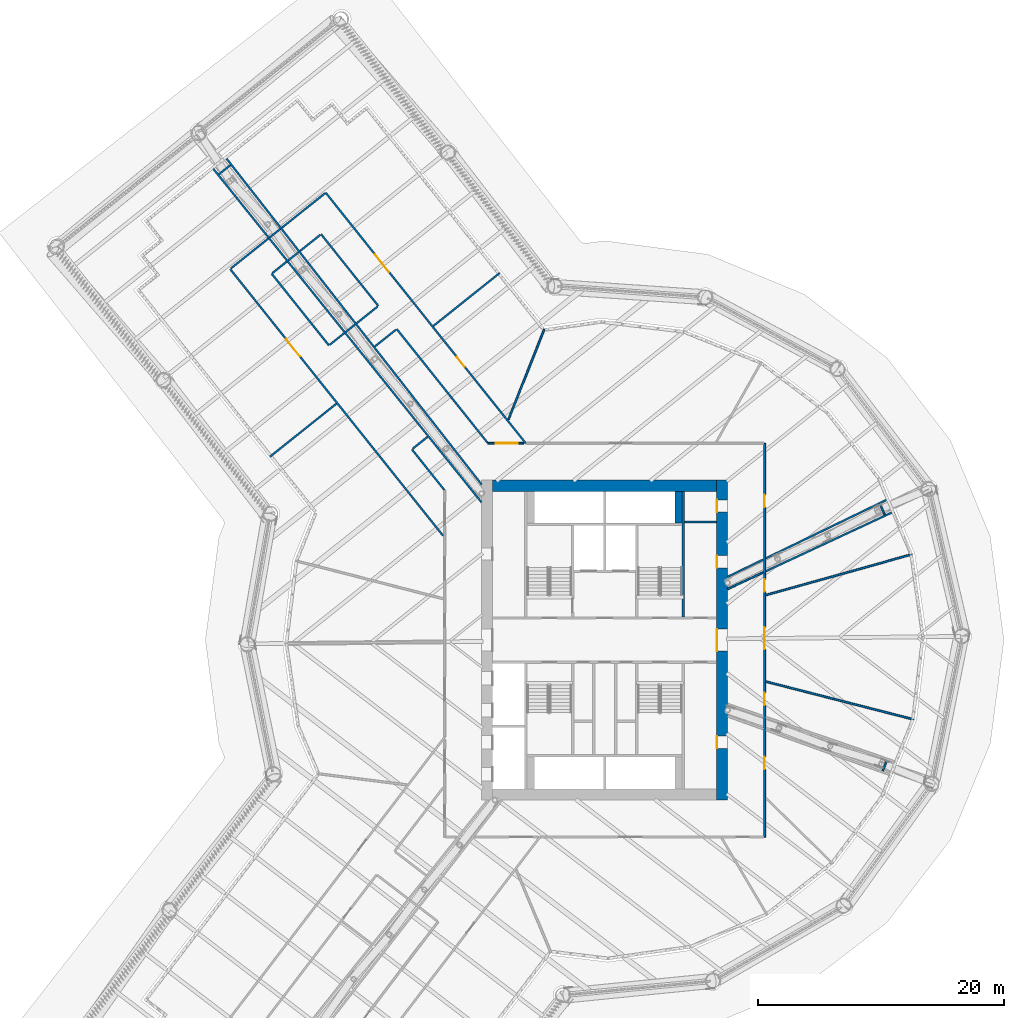
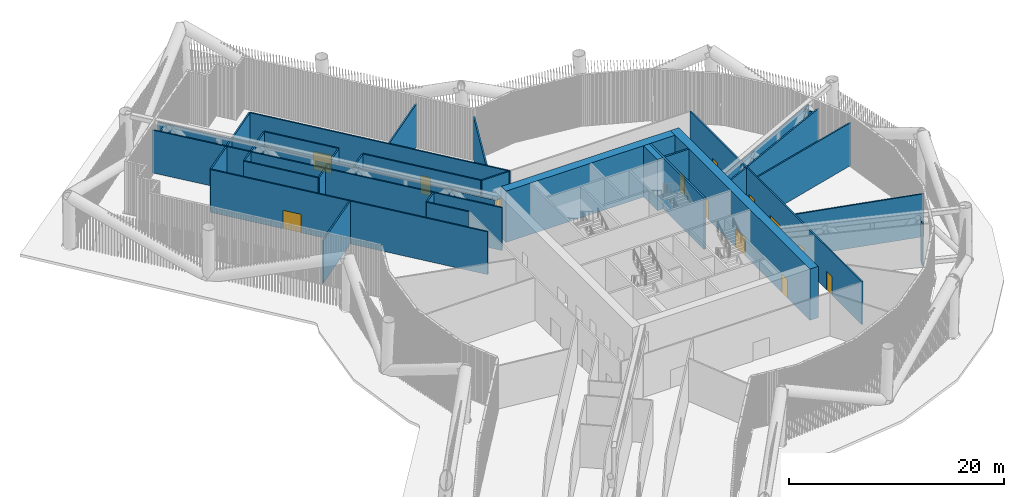
# One storey, part 17 of 48: 38 walls, 13 doors, 13 openings.
"""IFC4 building model written with IfcOpenShell, lengths in metres."""

from ifc_helpers import new_model, si_unit, direction, frame, frame_2d, origin, place, context, subcontext, project, spatial, rectangle, extrude, material, layer, layer_set, type_object, element, fill, save


model = new_model("IFC4")

# Units and contexts
model_context = context("Model", 3, precision=1e-05, world=origin(), true_north=direction((0.0, 1.0)))
body_context = subcontext(model_context, "Body", "Model", "MODEL_VIEW")
ifc_project = project(units=[si_unit("LENGTHUNIT", "METRE"), si_unit("AREAUNIT", "SQUARE_METRE"), si_unit("VOLUMEUNIT", "CUBIC_METRE"), si_unit("PLANEANGLEUNIT", "RADIAN"), si_unit("MASSUNIT", "GRAM", prefix="KILO")], contexts=[model_context])

# Site, building, storey
site_placement = place(None, origin())
site = spatial("IfcSite", under=ifc_project, at=site_placement, CompositionType="ELEMENT")
building_placement = place(site_placement, origin())
building = spatial("IfcBuilding", under=site, at=building_placement, Name="Tarsis Ring Headquarters", CompositionType="ELEMENT")
storey_placement = place(building_placement, frame((0.0, 0.0, 34.0)))
storey = spatial("IfcBuildingStorey", under=building, at=storey_placement, Name="L06", CompositionType="ELEMENT", Elevation=34.0)

# Wall
ifc_material_1 = material(Name="Blockwork", Category="masonry")
ifc_layer_1 = layer(ifc_material_1, 0.199951171875)
ifc_layer_set_1 = layer_set([ifc_layer_1], Name="Core blockwork wall 200")
wall_type_1 = type_object("IfcWallType", Name="Core blockwork wall 200", PredefinedType="PARTITIONING", material=ifc_layer_set_1)
wall_1_placement = place(storey_placement, frame((6.5, 9.60009765625, 0.0), z_axis=(0.0, 0.0, 1.0), x_axis=(1.0, 0.0, 0.0)))
element("IfcWall", 1, at=wall_1_placement, inside=storey, type_object=wall_type_1, Name="Core partition ED7", PredefinedType="PARTITIONING", context=body_context, shape_type="SweptSolid", body=[
    extrude(rectangle(XDim=2.60009765625, YDim=0.199951171875, at=frame_2d((1.300048828125, 0.0))), origin(), (0.0, 0.0, 1.0), 5.840087890625),
])

# Wall, openings, doors
ifc_material_2 = material(Name="Concrete C60/75", Category="concrete")
ifc_layer_2 = layer(ifc_material_2, 0.89990234375)
ifc_layer_set_2 = layer_set([ifc_layer_2], Name="Core wall 900 C60/75")
wall_type_2 = type_object("IfcWallType", Name="Core wall 900 C60/75", PredefinedType="SHEAR", material=ifc_layer_set_2)
wall_2_placement = place(storey_placement, frame((9.550048828125, -13.0, 0.0), z_axis=(0.0, 0.0, 1.0), x_axis=(0.0, 1.0, 0.0)))
wall_2 = element("IfcWall", 2, at=wall_2_placement, inside=storey, type_object=wall_type_2, Name="Core wall OE", PredefinedType="SHEAR", context=body_context, shape_type="SweptSolid", body=[
    extrude(rectangle(XDim=26.0, YDim=0.89990234375, at=frame_2d((13.0, 0.0))), origin(), (0.0, 0.0, 1.0), 5.840087890625),
])
opening_1_placement = place(wall_2_placement, frame((4.199951171875, 0.0, 0.0)))
opening_1 = element("IfcOpeningElement", 3, at=opening_1_placement, cuts=wall_2, Name="Opening L06-C07", PredefinedType="OPENING", context=body_context, shape_type="SweptSolid", body=[
    extrude(rectangle(XDim=1.0, YDim=2.10009765625, at=frame_2d((0.5, 1.050048828125))), frame((0.0, 0.4599609375, 0.0), z_axis=(0.0, -1.0, 0.0), x_axis=(1.0, 0.0, 0.0)), (0.0, 0.0, 1.0), 0.919921875),
])
opening_2_placement = place(wall_2_placement, frame((12.10009765625, 0.0, 0.0)))
opening_2 = element("IfcOpeningElement", 4, at=opening_2_placement, cuts=wall_2, Name="Opening L06-C08", PredefinedType="OPENING", context=body_context, shape_type="SweptSolid", body=[
    extrude(rectangle(XDim=1.800048828125, YDim=2.10009765625, at=frame_2d((0.89990234375, 1.050048828125))), frame((0.0, 0.4599609375, 0.0), z_axis=(0.0, -1.0, 0.0), x_axis=(1.0, 0.0, 0.0)), (0.0, 0.0, 1.0), 0.919921875),
])
opening_3_placement = place(wall_2_placement, frame((18.8759765625, 0.0, 0.0)))
opening_3 = element("IfcOpeningElement", 5, at=opening_3_placement, cuts=wall_2, Name="Opening L06-C09", PredefinedType="OPENING", context=body_context, shape_type="SweptSolid", body=[
    extrude(rectangle(XDim=1.0, YDim=2.10009765625, at=frame_2d((0.5, 1.050048828125))), frame((0.0, 0.4599609375, 0.0), z_axis=(0.0, -1.0, 0.0), x_axis=(1.0, 0.0, 0.0)), (0.0, 0.0, 1.0), 0.919921875),
])
opening_4_placement = place(wall_2_placement, frame((23.39990234375, 0.0, 0.0)))
opening_4 = element("IfcOpeningElement", 6, at=opening_4_placement, cuts=wall_2, Name="Opening L06-C10", PredefinedType="OPENING", context=body_context, shape_type="SweptSolid", body=[
    extrude(rectangle(XDim=1.0, YDim=2.10009765625, at=frame_2d((0.5, 1.050048828125))), frame((0.0, 0.4599609375, 0.0), z_axis=(0.0, -1.0, 0.0), x_axis=(1.0, 0.0, 0.0)), (0.0, 0.0, 1.0), 0.919921875),
])
ifc_material_3 = material(Name="Steel S355", Category="steel")
door_type_1 = type_object("IfcDoorType", Name="Core entry door 1800x2100", OperationType="DOUBLE_DOOR_SINGLE_SWING", PredefinedType="DOOR", material=ifc_material_3)
door_1_placement = place(opening_2_placement, origin())
door_1 = element("IfcDoor", 7, at=door_1_placement, inside=storey, type_object=door_type_1, Name="Core entry door L06", OperationType="DOUBLE_DOOR_SINGLE_SWING", OverallHeight=2.10009765625, OverallWidth=1.800048828125, PredefinedType="DOOR", context=body_context, shape_type="SweptSolid", body=[
    extrude(rectangle(XDim=1.800048828125, YDim=2.10009765625, at=frame_2d((0.89990234375, 1.050048828125))), frame((0.0, 0.4501953125, 0.0), z_axis=(0.0, -1.0, 0.0), x_axis=(1.0, 0.0, 0.0)), (0.0, 0.0, 1.0), 0.050048828125),
])
fill(opening_2, door_1)
door_type_2 = type_object("IfcDoorType", Name="Core room door 1000x2100", OperationType="SINGLE_SWING_LEFT", PredefinedType="DOOR", material=ifc_material_3)
door_2_placement = place(opening_1_placement, origin())
door_2 = element("IfcDoor", 8, at=door_2_placement, inside=storey, type_object=door_type_2, Name="Core room door L06", OperationType="SINGLE_SWING_LEFT", OverallHeight=2.10009765625, OverallWidth=1.0, PredefinedType="DOOR", context=body_context, shape_type="SweptSolid", body=[
    extrude(rectangle(XDim=1.0, YDim=2.10009765625, at=frame_2d((0.5, 1.050048828125))), frame((0.0, 0.4501953125, 0.0), z_axis=(0.0, -1.0, 0.0), x_axis=(1.0, 0.0, 0.0)), (0.0, 0.0, 1.0), 0.050048828125),
])
fill(opening_1, door_2)
door_3_placement = place(opening_3_placement, origin())
door_3 = element("IfcDoor", 9, at=door_3_placement, inside=storey, type_object=door_type_2, Name="Core room door L06", OperationType="SINGLE_SWING_LEFT", OverallHeight=2.10009765625, OverallWidth=1.0, PredefinedType="DOOR", context=body_context, shape_type="SweptSolid", body=[
    extrude(rectangle(XDim=1.0, YDim=2.10009765625, at=frame_2d((0.5, 1.050048828125))), frame((0.0, 0.4501953125, 0.0), z_axis=(0.0, -1.0, 0.0), x_axis=(1.0, 0.0, 0.0)), (0.0, 0.0, 1.0), 0.050048828125),
])
fill(opening_3, door_3)
door_4_placement = place(opening_4_placement, origin())
door_4 = element("IfcDoor", 10, at=door_4_placement, inside=storey, type_object=door_type_2, Name="Core room door L06", OperationType="SINGLE_SWING_LEFT", OverallHeight=2.10009765625, OverallWidth=1.0, PredefinedType="DOOR", context=body_context, shape_type="SweptSolid", body=[
    extrude(rectangle(XDim=1.0, YDim=2.10009765625, at=frame_2d((0.5, 1.050048828125))), frame((0.0, 0.4501953125, 0.0), z_axis=(0.0, -1.0, 0.0), x_axis=(1.0, 0.0, 0.0)), (0.0, 0.0, 1.0), 0.050048828125),
])
fill(opening_4, door_4)

# Walls
wall_3_placement = place(storey_placement, frame((-9.10009765625, 12.550048828125, 0.0), z_axis=(0.0, 0.0, 1.0), x_axis=(1.0, 0.0, 0.0)))
element("IfcWall", 11, at=wall_3_placement, inside=storey, type_object=wall_type_2, Name="Core wall ON", PredefinedType="SHEAR", context=body_context, shape_type="SweptSolid", body=[
    extrude(rectangle(XDim=18.2001953125, YDim=0.89990234375, at=frame_2d((9.10009765625, 0.0))), origin(), (0.0, 0.0, 1.0), 5.840087890625),
])
ifc_material_4 = material(Name="Gypsum board on steel studs", Category="steel")
ifc_layer_3 = layer(ifc_material_4, 0.14990234375)
ifc_layer_set_3 = layer_set([ifc_layer_3], Name="FL partition 150 EI 120 H4870")
wall_type_3 = type_object("IfcWallType", Name="FL partition 150 EI 120 H4870", PredefinedType="PARTITIONING", material=ifc_layer_set_3)
wall_4_placement = place(storey_placement, frame((-31.912109375, 38.438720703125, 0.0), z_axis=(0.0, 0.0, 1.0), x_axis=(0.626670520538, -0.779284324678, 0.0)))
element("IfcWall", 12, at=wall_4_placement, inside=storey, type_object=wall_type_3, Name="Partition PW2H487", PredefinedType="PARTITIONING", context=body_context, shape_type="SweptSolid", body=[
    extrude(rectangle(XDim=34.96044921875, YDim=0.14990234375, at=frame_2d((17.480224609375, 0.0))), origin(), (0.0, 0.0, 1.0), 4.8701171875),
])
wall_5_placement = place(storey_placement, frame((-30.85009765625, 39.28662109375, 0.0), z_axis=(0.0, 0.0, 1.0), x_axis=(0.616338422256, -0.78748139613, 0.0)))
element("IfcWall", 13, at=wall_5_placement, inside=storey, type_object=wall_type_3, Name="Partition PW2H487", PredefinedType="PARTITIONING", context=body_context, shape_type="SweptSolid", body=[
    extrude(rectangle(XDim=33.830078125, YDim=0.14990234375, at=frame_2d((16.9150390625, 0.0))), origin(), (0.0, 0.0, 1.0), 4.8701171875),
])

# Wall, openings, doors
wall_6_placement = place(storey_placement, frame((13.0, -16.0, 0.0), z_axis=(0.0, 0.0, 1.0), x_axis=(0.0, 1.0, 0.0)))
wall_6 = element("IfcWall", 14, at=wall_6_placement, inside=storey, type_object=wall_type_3, Name="Partition PW2H487", PredefinedType="PARTITIONING", context=body_context, shape_type="SweptSolid", body=[
    extrude(rectangle(XDim=32.0, YDim=0.14990234375, at=frame_2d((16.0, 0.0))), origin(), (0.0, 0.0, 1.0), 4.8701171875),
])
opening_5_placement = place(wall_6_placement, frame((26.80419921875, 0.0, 0.0)))
opening_5 = element("IfcOpeningElement", 15, at=opening_5_placement, cuts=wall_6, Name="Opening D06.09", PredefinedType="OPENING", context=body_context, shape_type="SweptSolid", body=[
    extrude(rectangle(XDim=1.0, YDim=2.10009765625, at=frame_2d((0.5, 1.050048828125))), frame((0.0, 0.0849609375, 0.0), z_axis=(0.0, -1.0, 0.0), x_axis=(1.0, 0.0, 0.0)), (0.0, 0.0, 1.0), 0.169921875),
])
opening_6_placement = place(wall_6_placement, frame((19.943115234375, 0.0, 0.0)))
opening_6 = element("IfcOpeningElement", 16, at=opening_6_placement, cuts=wall_6, Name="Opening D06.10", PredefinedType="OPENING", context=body_context, shape_type="SweptSolid", body=[
    extrude(rectangle(XDim=1.0, YDim=2.10009765625, at=frame_2d((0.5, 1.050048828125))), frame((0.0, 0.0849609375, 0.0), z_axis=(0.0, -1.0, 0.0), x_axis=(1.0, 0.0, 0.0)), (0.0, 0.0, 1.0), 0.169921875),
])
opening_7_placement = place(wall_6_placement, frame((15.245849609375, 0.0, 0.0)))
opening_7 = element("IfcOpeningElement", 17, at=opening_7_placement, cuts=wall_6, Name="Opening D06.11", PredefinedType="OPENING", context=body_context, shape_type="SweptSolid", body=[
    extrude(rectangle(XDim=1.800048828125, YDim=2.10009765625, at=frame_2d((0.89990234375, 1.050048828125))), frame((0.0, 0.0849609375, 0.0), z_axis=(0.0, -1.0, 0.0), x_axis=(1.0, 0.0, 0.0)), (0.0, 0.0, 1.0), 0.169921875),
])
opening_8_placement = place(wall_6_placement, frame((10.706787109375, 0.0, 0.0)))
opening_8 = element("IfcOpeningElement", 18, at=opening_8_placement, cuts=wall_6, Name="Opening D06.12", PredefinedType="OPENING", context=body_context, shape_type="SweptSolid", body=[
    extrude(rectangle(XDim=1.0, YDim=2.10009765625, at=frame_2d((0.5, 1.050048828125))), frame((0.0, 0.0849609375, 0.0), z_axis=(0.0, -1.0, 0.0), x_axis=(1.0, 0.0, 0.0)), (0.0, 0.0, 1.0), 0.169921875),
])
opening_9_placement = place(wall_6_placement, frame((5.50732421875, 0.0, 0.0)))
opening_9 = element("IfcOpeningElement", 19, at=opening_9_placement, cuts=wall_6, Name="Opening D06.13", PredefinedType="OPENING", context=body_context, shape_type="SweptSolid", body=[
    extrude(rectangle(XDim=1.0, YDim=2.10009765625, at=frame_2d((0.5, 1.050048828125))), frame((0.0, 0.0849609375, 0.0), z_axis=(0.0, -1.0, 0.0), x_axis=(1.0, 0.0, 0.0)), (0.0, 0.0, 1.0), 0.169921875),
])
ifc_material_5 = material(Name="Fire-rated timber door leaf in steel frame", Category="steel")
door_type_3 = type_object("IfcDoorType", Name="FL door FD120-1000", OperationType="NOTDEFINED", PredefinedType="DOOR", material=ifc_material_5)
door_5_placement = place(opening_5_placement, origin())
door_5 = element("IfcDoor", 20, at=door_5_placement, inside=storey, type_object=door_type_3, Name="Door D06.09", OperationType="SINGLE_SWING_LEFT", OverallHeight=2.10009765625, OverallWidth=1.0, PredefinedType="DOOR", context=body_context, shape_type="SweptSolid", body=[
    extrude(rectangle(XDim=1.0, YDim=2.10009765625, at=frame_2d((0.5, 1.050048828125))), frame((0.0, 0.02490234375, 0.0), z_axis=(0.0, -1.0, 0.0), x_axis=(1.0, 0.0, 0.0)), (0.0, 0.0, 1.0), 0.050048828125),
])
fill(opening_5, door_5)
door_6_placement = place(opening_6_placement, origin())
door_6 = element("IfcDoor", 21, at=door_6_placement, inside=storey, type_object=door_type_3, Name="Door D06.10", OperationType="SINGLE_SWING_RIGHT", OverallHeight=2.10009765625, OverallWidth=1.0, PredefinedType="DOOR", context=body_context, shape_type="SweptSolid", body=[
    extrude(rectangle(XDim=1.0, YDim=2.10009765625, at=frame_2d((0.5, 1.050048828125))), frame((0.0, 0.02490234375, 0.0), z_axis=(0.0, -1.0, 0.0), x_axis=(1.0, 0.0, 0.0)), (0.0, 0.0, 1.0), 0.050048828125),
])
fill(opening_6, door_6)
door_7_placement = place(opening_8_placement, origin())
door_7 = element("IfcDoor", 22, at=door_7_placement, inside=storey, type_object=door_type_3, Name="Door D06.12", OperationType="SINGLE_SWING_RIGHT", OverallHeight=2.10009765625, OverallWidth=1.0, PredefinedType="DOOR", context=body_context, shape_type="SweptSolid", body=[
    extrude(rectangle(XDim=1.0, YDim=2.10009765625, at=frame_2d((0.5, 1.050048828125))), frame((0.0, 0.02490234375, 0.0), z_axis=(0.0, -1.0, 0.0), x_axis=(1.0, 0.0, 0.0)), (0.0, 0.0, 1.0), 0.050048828125),
])
fill(opening_8, door_7)
door_8_placement = place(opening_9_placement, origin())
door_8 = element("IfcDoor", 23, at=door_8_placement, inside=storey, type_object=door_type_3, Name="Door D06.13", OperationType="SINGLE_SWING_LEFT", OverallHeight=2.10009765625, OverallWidth=1.0, PredefinedType="DOOR", context=body_context, shape_type="SweptSolid", body=[
    extrude(rectangle(XDim=1.0, YDim=2.10009765625, at=frame_2d((0.5, 1.050048828125))), frame((0.0, 0.02490234375, 0.0), z_axis=(0.0, -1.0, 0.0), x_axis=(1.0, 0.0, 0.0)), (0.0, 0.0, 1.0), 0.050048828125),
])
fill(opening_9, door_8)
door_type_4 = type_object("IfcDoorType", Name="FL door FD120-1800", OperationType="DOUBLE_DOOR_SINGLE_SWING", PredefinedType="DOOR", material=ifc_material_5)
door_9_placement = place(opening_7_placement, origin())
door_9 = element("IfcDoor", 24, at=door_9_placement, inside=storey, type_object=door_type_4, Name="Door D06.11", OperationType="DOUBLE_DOOR_SINGLE_SWING", OverallHeight=2.10009765625, OverallWidth=1.800048828125, PredefinedType="DOOR", context=body_context, shape_type="SweptSolid", body=[
    extrude(rectangle(XDim=1.800048828125, YDim=2.10009765625, at=frame_2d((0.89990234375, 1.050048828125))), frame((0.0, 0.02490234375, 0.0), z_axis=(0.0, -1.0, 0.0), x_axis=(1.0, 0.0, 0.0)), (0.0, 0.0, 1.0), 0.050048828125),
])
fill(opening_7, door_9)

# Wall, opening, door
wall_7_placement = place(storey_placement, frame((-30.4365234375, 30.160888671875, 0.0), z_axis=(0.0, 0.0, 1.0), x_axis=(0.623880326408, -0.781519889908, 0.0)))
wall_7 = element("IfcWall", 25, at=wall_7_placement, inside=storey, type_object=wall_type_3, Name="Partition PW2H487", PredefinedType="PARTITIONING", context=body_context, shape_type="SweptSolid", body=[
    extrude(rectangle(XDim=27.74853515625, YDim=0.14990234375, at=frame_2d((13.874267578125, 0.0))), origin(), (0.0, 0.0, 1.0), 4.8701171875),
])
opening_10_placement = place(wall_7_placement, frame((7.26953125, 0.0, 0.0)))
opening_10 = element("IfcOpeningElement", 26, at=opening_10_placement, cuts=wall_7, Name="Opening D06.01", PredefinedType="OPENING", context=body_context, shape_type="SweptSolid", body=[
    extrude(rectangle(XDim=1.800048828125, YDim=2.10009765625, at=frame_2d((0.89990234375, 1.050048828125))), frame((0.0, 0.0849609375, 0.0), z_axis=(0.0, -1.0, 0.0), x_axis=(1.0, 0.0, 0.0)), (0.0, 0.0, 1.0), 0.169921875),
])
door_10_placement = place(opening_10_placement, origin())
door_10 = element("IfcDoor", 27, at=door_10_placement, inside=storey, type_object=door_type_4, Name="Door D06.01", OperationType="DOUBLE_DOOR_SINGLE_SWING", OverallHeight=2.10009765625, OverallWidth=1.800048828125, PredefinedType="DOOR", context=body_context, shape_type="SweptSolid", body=[
    extrude(rectangle(XDim=1.800048828125, YDim=2.10009765625, at=frame_2d((0.89990234375, 1.050048828125))), frame((0.0, 0.02490234375, 0.0), z_axis=(0.0, -1.0, 0.0), x_axis=(1.0, 0.0, 0.0)), (0.0, 0.0, 1.0), 0.050048828125),
])
fill(opening_10, door_10)

# Wall, openings, doors
wall_8_placement = place(storey_placement, frame((-22.668212890625, 36.3623046875, 0.0), z_axis=(0.0, 0.0, 1.0), x_axis=(0.623882238062, -0.781518363847, 0.0)))
wall_8 = element("IfcWall", 28, at=wall_8_placement, inside=storey, type_object=wall_type_3, Name="Partition PW2H487", PredefinedType="PARTITIONING", context=body_context, shape_type="SweptSolid", body=[
    extrude(rectangle(XDim=26.0546875, YDim=0.14990234375, at=frame_2d((13.02734375, 0.0))), origin(), (0.0, 0.0, 1.0), 4.8701171875),
])
opening_11_placement = place(wall_8_placement, frame((6.429931640625, 0.0, 0.0)))
opening_11 = element("IfcOpeningElement", 29, at=opening_11_placement, cuts=wall_8, Name="Opening D06.06", PredefinedType="OPENING", context=body_context, shape_type="SweptSolid", body=[
    extrude(rectangle(XDim=1.800048828125, YDim=2.10009765625, at=frame_2d((0.89990234375, 1.050048828125))), frame((0.0, 0.0849609375, 0.0), z_axis=(0.0, -1.0, 0.0), x_axis=(1.0, 0.0, 0.0)), (0.0, 0.0, 1.0), 0.169921875),
])
opening_12_placement = place(wall_8_placement, frame((17.09326171875, 0.0, 0.0)))
opening_12 = element("IfcOpeningElement", 30, at=opening_12_placement, cuts=wall_8, Name="Opening D06.07", PredefinedType="OPENING", context=body_context, shape_type="SweptSolid", body=[
    extrude(rectangle(XDim=1.0, YDim=2.10009765625, at=frame_2d((0.5, 1.050048828125))), frame((0.0, 0.0849609375, 0.0), z_axis=(0.0, -1.0, 0.0), x_axis=(1.0, 0.0, 0.0)), (0.0, 0.0, 1.0), 0.169921875),
])
door_11_placement = place(opening_12_placement, origin())
door_11 = element("IfcDoor", 31, at=door_11_placement, inside=storey, type_object=door_type_3, Name="Door D06.07", OperationType="SINGLE_SWING_LEFT", OverallHeight=2.10009765625, OverallWidth=1.0, PredefinedType="DOOR", context=body_context, shape_type="SweptSolid", body=[
    extrude(rectangle(XDim=1.0, YDim=2.10009765625, at=frame_2d((0.5, 1.050048828125))), frame((0.0, 0.02490234375, 0.0), z_axis=(0.0, -1.0, 0.0), x_axis=(1.0, 0.0, 0.0)), (0.0, 0.0, 1.0), 0.050048828125),
])
fill(opening_12, door_11)
door_12_placement = place(opening_11_placement, origin())
door_12 = element("IfcDoor", 32, at=door_12_placement, inside=storey, type_object=door_type_4, Name="Door D06.06", OperationType="DOUBLE_DOOR_SINGLE_SWING", OverallHeight=2.10009765625, OverallWidth=1.800048828125, PredefinedType="DOOR", context=body_context, shape_type="SweptSolid", body=[
    extrude(rectangle(XDim=1.800048828125, YDim=2.10009765625, at=frame_2d((0.89990234375, 1.050048828125))), frame((0.0, 0.02490234375, 0.0), z_axis=(0.0, -1.0, 0.0), x_axis=(1.0, 0.0, 0.0)), (0.0, 0.0, 1.0), 0.050048828125),
])
fill(opening_11, door_12)

# Wall, opening, door
wall_9_placement = place(storey_placement, frame((-9.484130859375, 16.0, 0.0), z_axis=(0.0, 0.0, 1.0), x_axis=(1.0, 0.0, 0.0)))
wall_9 = element("IfcWall", 33, at=wall_9_placement, inside=storey, type_object=wall_type_3, Name="Partition PW2H487", PredefinedType="PARTITIONING", context=body_context, shape_type="SweptSolid", body=[
    extrude(rectangle(XDim=2.9150390625, YDim=0.14990234375, at=frame_2d((1.45751953125, 0.0))), origin(), (0.0, 0.0, 1.0), 4.8701171875),
])
opening_13_placement = place(wall_9_placement, frame((0.635498046875, 0.0, 0.0)))
opening_13 = element("IfcOpeningElement", 34, at=opening_13_placement, cuts=wall_9, Name="Opening D06.22", PredefinedType="OPENING", context=body_context, shape_type="SweptSolid", body=[
    extrude(rectangle(XDim=1.800048828125, YDim=2.10009765625, at=frame_2d((0.89990234375, 1.050048828125))), frame((0.0, 0.0849609375, 0.0), z_axis=(0.0, -1.0, 0.0), x_axis=(1.0, 0.0, 0.0)), (0.0, 0.0, 1.0), 0.169921875),
])
door_13_placement = place(opening_13_placement, origin())
door_13 = element("IfcDoor", 35, at=door_13_placement, inside=storey, type_object=door_type_4, Name="Door D06.22", OperationType="DOUBLE_DOOR_SINGLE_SWING", OverallHeight=2.10009765625, OverallWidth=1.800048828125, PredefinedType="DOOR", context=body_context, shape_type="SweptSolid", body=[
    extrude(rectangle(XDim=1.800048828125, YDim=2.10009765625, at=frame_2d((0.89990234375, 1.050048828125))), frame((0.0, 0.02490234375, 0.0), z_axis=(0.0, -1.0, 0.0), x_axis=(1.0, 0.0, 0.0)), (0.0, 0.0, 1.0), 0.050048828125),
])
fill(opening_13, door_13)

# Walls
wall_10_placement = place(storey_placement, frame((10.0, 4.159912109375, 0.0), z_axis=(0.0, 0.0, 1.0), x_axis=(0.906548249138, 0.422102205615, 0.0)))
element("IfcWall", 36, at=wall_10_placement, inside=storey, type_object=wall_type_3, Name="Partition PW2H487", PredefinedType="PARTITIONING", context=body_context, shape_type="SweptSolid", body=[
    extrude(rectangle(XDim=3.191650390625, YDim=0.14990234375, at=frame_2d((1.595703125, 0.0))), origin(), (0.0, 0.0, 1.0), 4.8701171875),
])
wall_11_placement = place(storey_placement, frame((13.106689453125, 5.6064453125, 0.0), z_axis=(0.0, 0.0, 1.0), x_axis=(0.906547962748, 0.422102820693, 0.0)))
element("IfcWall", 37, at=wall_11_placement, inside=storey, type_object=wall_type_3, Name="Partition PW2H487", PredefinedType="PARTITIONING", context=body_context, shape_type="SweptSolid", body=[
    extrude(rectangle(XDim=11.478271484375, YDim=0.14990234375, at=frame_2d((5.7392578125, 0.0))), origin(), (0.0, 0.0, 1.0), 4.8701171875),
])
wall_12_placement = place(storey_placement, frame((10.001953125, 5.152099609375, 0.0), z_axis=(0.0, 0.0, 1.0), x_axis=(0.900115975415, 0.435650353841, 0.0)))
element("IfcWall", 38, at=wall_12_placement, inside=storey, type_object=wall_type_3, Name="Partition PW2H487", PredefinedType="PARTITIONING", context=body_context, shape_type="SweptSolid", body=[
    extrude(rectangle(XDim=3.211181640625, YDim=0.14990234375, at=frame_2d((1.60546875, 0.0))), origin(), (0.0, 0.0, 1.0), 4.8701171875),
])
wall_13_placement = place(storey_placement, frame((13.107666015625, 6.6552734375, 0.0), z_axis=(0.0, 0.0, 1.0), x_axis=(0.900112395267, 0.435657750862, 0.0)))
element("IfcWall", 39, at=wall_13_placement, inside=storey, type_object=wall_type_3, Name="Partition PW2H487", PredefinedType="PARTITIONING", context=body_context, shape_type="SweptSolid", body=[
    extrude(rectangle(XDim=11.072265625, YDim=0.14990234375, at=frame_2d((5.5361328125, 0.0))), origin(), (0.0, 0.0, 1.0), 4.8701171875),
])
wall_14_placement = place(storey_placement, frame((13.087158203125, -3.360107421875, 0.0), z_axis=(0.0, 0.0, 1.0), x_axis=(0.968582429618, -0.248692736195, 0.0)))
element("IfcWall", 40, at=wall_14_placement, inside=storey, type_object=wall_type_3, Name="Partition PW2H487", PredefinedType="PARTITIONING", context=body_context, shape_type="SweptSolid", body=[
    extrude(rectangle(XDim=12.43603515625, YDim=0.14990234375, at=frame_2d((6.218017578125, 0.0))), origin(), (0.0, 0.0, 1.0), 4.8701171875),
])
wall_15_placement = place(storey_placement, frame((13.086669921875, 3.65380859375, 0.0), z_axis=(0.0, 0.0, 1.0), x_axis=(0.963163351768, 0.268917009153, 0.0)))
element("IfcWall", 41, at=wall_15_placement, inside=storey, type_object=wall_type_3, Name="Partition PW2H487", PredefinedType="PARTITIONING", context=body_context, shape_type="SweptSolid", body=[
    extrude(rectangle(XDim=12.360595703125, YDim=0.14990234375, at=frame_2d((6.18017578125, 0.0))), origin(), (0.0, 0.0, 1.0), 4.8701171875),
])
wall_16_placement = place(storey_placement, frame((-16.893798828125, 25.281982421875, 0.0), z_axis=(0.0, 0.0, 1.0), x_axis=(0.623874015748, -0.781524927609, 0.0)))
element("IfcWall", 42, at=wall_16_placement, inside=storey, type_object=wall_type_3, Name="Partition PW2H487", PredefinedType="PARTITIONING", context=body_context, shape_type="SweptSolid", body=[
    extrude(rectangle(XDim=11.82666015625, YDim=0.14990234375, at=frame_2d((5.913330078125, 0.0))), origin(), (0.0, 0.0, 1.0), 4.8701171875),
])
wall_17_placement = place(storey_placement, frame((-30.3740234375, 30.210693359375, 0.0), z_axis=(0.0, 0.0, 1.0), x_axis=(0.781524827996, 0.623874140533, 0.0)))
element("IfcWall", 43, at=wall_17_placement, inside=storey, type_object=wall_type_3, Name="Partition PW2H487", PredefinedType="PARTITIONING", context=body_context, shape_type="SweptSolid", body=[
    extrude(rectangle(XDim=3.88232421875, YDim=0.14990234375, at=frame_2d((1.941162109375, 0.0))), origin(), (0.0, 0.0, 1.0), 4.8701171875),
])
wall_18_placement = place(storey_placement, frame((-27.22216796875, 32.726806640625, 0.0), z_axis=(0.0, 0.0, 1.0), x_axis=(0.781511813439, 0.623890443471, 0.0)))
element("IfcWall", 44, at=wall_18_placement, inside=storey, type_object=wall_type_3, Name="Partition PW2H487", PredefinedType="PARTITIONING", context=body_context, shape_type="SweptSolid", body=[
    extrude(rectangle(XDim=1.110595703125, YDim=0.14990234375, at=frame_2d((0.55517578125, 0.0))), origin(), (0.0, 0.0, 1.0), 4.8701171875),
])
wall_19_placement = place(storey_placement, frame((-26.236083984375, 33.51416015625, 0.0), z_axis=(0.0, 0.0, 1.0), x_axis=(0.781542787134, 0.623851642523, 0.0)))
element("IfcWall", 45, at=wall_19_placement, inside=storey, type_object=wall_type_3, Name="Partition PW2H487", PredefinedType="PARTITIONING", context=body_context, shape_type="SweptSolid", body=[
    extrude(rectangle(XDim=4.485107421875, YDim=0.14990234375, at=frame_2d((2.24267578125, 0.0))), origin(), (0.0, 0.0, 1.0), 4.8701171875),
])
wall_20_placement = place(storey_placement, frame((-7.817138671875, 17.927734375, 0.0), z_axis=(0.0, 0.0, 1.0), x_axis=(0.368935061838, 0.929455173823, 0.0)))
element("IfcWall", 46, at=wall_20_placement, inside=storey, type_object=wall_type_3, Name="Partition PW2H487", PredefinedType="PARTITIONING", context=body_context, shape_type="SweptSolid", body=[
    extrude(rectangle(XDim=7.889404296875, YDim=0.14990234375, at=frame_2d((3.94482421875, 0.0))), origin(), (0.0, 0.0, 1.0), 4.8701171875),
])
wall_21_placement = place(storey_placement, frame((-23.045166015625, 32.98779296875, 0.0), z_axis=(0.0, 0.0, 1.0), x_axis=(0.623868115618, -0.781529637515, 0.0)))
element("IfcWall", 47, at=wall_21_placement, inside=storey, type_object=wall_type_3, Name="Partition PW2H487", PredefinedType="PARTITIONING", context=body_context, shape_type="SweptSolid", body=[
    extrude(rectangle(XDim=7.4560546875, YDim=0.14990234375, at=frame_2d((3.72802734375, 0.0))), origin(), (0.0, 0.0, 1.0), 4.8701171875),
])
wall_22_placement = place(storey_placement, frame((-27.062255859375, 29.781005859375, 0.0), z_axis=(0.0, 0.0, 1.0), x_axis=(0.623884080851, -0.781516892755, 0.0)))
element("IfcWall", 48, at=wall_22_placement, inside=storey, type_object=wall_type_3, Name="Partition PW2H487", PredefinedType="PARTITIONING", context=body_context, shape_type="SweptSolid", body=[
    extrude(rectangle(XDim=7.455810546875, YDim=0.14990234375, at=frame_2d((3.72802734375, 0.0))), origin(), (0.0, 0.0, 1.0), 4.8701171875),
])
for number, where, z_axis, x_axis, name in (
    (49, (-13.921142578125, 25.533203125, 0.0), (0.0, 0.0, 1.0), (0.781500122794, 0.623905087392, 0.0), "Partition PW2H487"),
    (50, (-27.194580078125, 14.911865234375, 0.0), (0.0, 0.0, 1.0), (0.781531146698, 0.623866225036, 0.0), "Partition PW2H487"),
):
    element("IfcWall", number, at=place(storey_placement, frame(where, z_axis=z_axis, x_axis=x_axis)), inside=storey, type_object=wall_type_3, Name=name, PredefinedType="PARTITIONING", context=body_context, shape_type="SweptSolid", body=[
        extrude(rectangle(XDim=6.89990234375, YDim=0.14990234375, at=frame_2d((3.449951171875, 0.0))), origin(), (0.0, 0.0, 1.0), 4.8701171875),
    ])
wall_23_placement = place(storey_placement, frame((-26.99951171875, 29.833740234375, 0.0), z_axis=(0.0, 0.0, 1.0), x_axis=(0.781556132097, 0.623834923983, 0.0)))
element("IfcWall", 51, at=wall_23_placement, inside=storey, type_object=wall_type_3, Name="Partition PW2H487", PredefinedType="PARTITIONING", context=body_context, shape_type="SweptSolid", body=[
    extrude(rectangle(XDim=1.489013671875, YDim=0.14990234375, at=frame_2d((0.74462890625, 0.0))), origin(), (0.0, 0.0, 1.0), 4.8701171875),
])
wall_24_placement = place(storey_placement, frame((-25.718017578125, 30.8564453125, 0.0), z_axis=(0.0, 0.0, 1.0), x_axis=(0.781464599873, 0.623949580611, 0.0)))
element("IfcWall", 52, at=wall_24_placement, inside=storey, type_object=wall_type_3, Name="Partition PW2H487", PredefinedType="PARTITIONING", context=body_context, shape_type="SweptSolid", body=[
    extrude(rectangle(XDim=1.078857421875, YDim=0.14990234375, at=frame_2d((0.53955078125, 0.0))), origin(), (0.0, 0.0, 1.0), 4.8701171875),
])
wall_25_placement = place(storey_placement, frame((-24.756591796875, 31.6240234375, 0.0), z_axis=(0.0, 0.0, 1.0), x_axis=(0.781524309557, 0.623874789979, 0.0)))
element("IfcWall", 53, at=wall_25_placement, inside=storey, type_object=wall_type_3, Name="Partition PW2H487", PredefinedType="PARTITIONING", context=body_context, shape_type="SweptSolid", body=[
    extrude(rectangle(XDim=2.106201171875, YDim=0.14990234375, at=frame_2d((1.05322265625, 0.0))), origin(), (0.0, 0.0, 1.0), 4.8701171875),
])
wall_26_placement = place(storey_placement, frame((-22.34521484375, 24.00341796875, 0.0), z_axis=(0.0, 0.0, 1.0), x_axis=(0.781402840527, 0.62402692315, 0.0)))
element("IfcWall", 54, at=wall_26_placement, inside=storey, type_object=wall_type_3, Name="Partition PW2H487", PredefinedType="PARTITIONING", context=body_context, shape_type="SweptSolid", body=[
    extrude(rectangle(XDim=1.515625, YDim=0.14990234375, at=frame_2d((0.7578125, 0.0))), origin(), (0.0, 0.0, 1.0), 4.8701171875),
])
wall_27_placement = place(storey_placement, frame((-21.043212890625, 25.04296875, 0.0), z_axis=(0.0, 0.0, 1.0), x_axis=(0.781621325151, 0.623753239727, 0.0)))
element("IfcWall", 55, at=wall_27_placement, inside=storey, type_object=wall_type_3, Name="Partition PW2H487", PredefinedType="PARTITIONING", context=body_context, shape_type="SweptSolid", body=[
    extrude(rectangle(XDim=0.98046875, YDim=0.14990234375, at=frame_2d((0.490234375, 0.0))), origin(), (0.0, 0.0, 1.0), 4.8701171875),
])
wall_28_placement = place(storey_placement, frame((-20.15869140625, 25.7490234375, 0.0), z_axis=(0.0, 0.0, 1.0), x_axis=(0.781546307724, 0.623847232008, 0.0)))
element("IfcWall", 56, at=wall_28_placement, inside=storey, type_object=wall_type_3, Name="Partition PW2H487", PredefinedType="PARTITIONING", context=body_context, shape_type="SweptSolid", body=[
    extrude(rectangle(XDim=2.17822265625, YDim=0.14990234375, at=frame_2d((1.089111328125, 0.0))), origin(), (0.0, 0.0, 1.0), 4.8701171875),
])
wall_29_placement = place(storey_placement, frame((-15.660888671875, 15.49853515625, 0.0), z_axis=(0.0, 0.0, 1.0), x_axis=(0.623912512674, -0.781494194814, 0.0)))
element("IfcWall", 57, at=wall_29_placement, inside=storey, type_object=wall_type_3, Name="Partition PW2H487", PredefinedType="PARTITIONING", context=body_context, shape_type="SweptSolid", body=[
    extrude(rectangle(XDim=4.224853515625, YDim=0.14990234375, at=frame_2d((2.1123046875, 0.0))), origin(), (0.0, 0.0, 1.0), 4.8701171875),
])
wall_30_placement = place(storey_placement, frame((-18.676513671875, 23.861083984375, 0.0), z_axis=(0.0, 0.0, 1.0), x_axis=(0.781464505758, 0.623949698485, 0.0)))
element("IfcWall", 58, at=wall_30_placement, inside=storey, type_object=wall_type_3, Name="Partition PW2H487", PredefinedType="PARTITIONING", context=body_context, shape_type="SweptSolid", body=[
    extrude(rectangle(XDim=2.19775390625, YDim=0.14990234375, at=frame_2d((1.098876953125, 0.0))), origin(), (0.0, 0.0, 1.0), 4.8701171875),
])
wall_31_placement = place(storey_placement, frame((-15.60107421875, 15.555419921875, 0.0), z_axis=(0.0, 0.0, 1.0), x_axis=(0.781573488708, 0.623813178563, 0.0)))
element("IfcWall", 59, at=wall_31_placement, inside=storey, type_object=wall_type_3, Name="Partition PW2H487", PredefinedType="PARTITIONING", context=body_context, shape_type="SweptSolid", body=[
    extrude(rectangle(XDim=1.5537109375, YDim=0.14990234375, at=frame_2d((0.77685546875, 0.0))), origin(), (0.0, 0.0, 1.0), 4.8701171875),
])
wall_32_placement = place(storey_placement, frame((-31.352783203125, 37.86181640625, 0.0), z_axis=(0.0, 0.0, 1.0), x_axis=(0.781566950754, 0.623821369856, 0.0)))
element("IfcWall", 60, at=wall_32_placement, inside=storey, type_object=wall_type_3, Name="Partition PW2H487", PredefinedType="PARTITIONING", context=body_context, shape_type="SweptSolid", body=[
    extrude(rectangle(XDim=1.193359375, YDim=0.14990234375, at=frame_2d((0.5966796875, 0.0))), origin(), (0.0, 0.0, 1.0), 4.8701171875),
])
wall_33_placement = place(storey_placement, frame((22.385009765625, 11.061767578125, 0.0), z_axis=(0.0, 0.0, 1.0), x_axis=(0.39230528812, -0.91983507267, 0.0)))
element("IfcWall", 61, at=wall_33_placement, inside=storey, type_object=wall_type_3, Name="Partition PW2H487", PredefinedType="PARTITIONING", context=body_context, shape_type="SweptSolid", body=[
    extrude(rectangle(XDim=0.94970703125, YDim=0.14990234375, at=frame_2d((0.474853515625, 0.0))), origin(), (0.0, 0.0, 1.0), 4.8701171875),
])
wall_34_placement = place(storey_placement, frame((22.594482421875, -10.63330078125, 0.0), z_axis=(0.0, 0.0, 1.0), x_axis=(0.372899829441, 0.92787160599, 0.0)))
element("IfcWall", 62, at=wall_34_placement, inside=storey, type_object=wall_type_3, Name="Partition PW2H487", PredefinedType="PARTITIONING", context=body_context, shape_type="SweptSolid", body=[
    extrude(rectangle(XDim=0.947998046875, YDim=0.14990234375, at=frame_2d((0.47412109375, 0.0))), origin(), (0.0, 0.0, 1.0), 4.8701171875),
])
ifc_material_6 = material(Name="Concrete C32/40", Category="concrete")
ifc_layer_4 = layer(ifc_material_6, 0.60009765625)
ifc_layer_set_4 = layer_set([ifc_layer_4], Name="Shaft end wall 600 C32/40")
wall_type_4 = type_object("IfcWallType", Name="Shaft end wall 600 C32/40", PredefinedType="SOLIDWALL", material=ifc_layer_set_4)
wall_35_placement = place(storey_placement, frame((6.0, 9.5, 0.0), z_axis=(0.0, 0.0, 1.0), x_axis=(0.0, 1.0, 0.0)))
element("IfcWall", 63, at=wall_35_placement, inside=storey, type_object=wall_type_4, Name="Core shaft wall NNE2", PredefinedType="SOLIDWALL", context=body_context, shape_type="SweptSolid", body=[
    extrude(rectangle(XDim=2.60009765625, YDim=0.60009765625, at=frame_2d((1.300048828125, 0.0))), origin(), (0.0, 0.0, 1.0), 5.840087890625),
])
ifc_layer_5 = layer(ifc_material_6, 0.199951171875)
ifc_layer_set_5 = layer_set([ifc_layer_5], Name="Shaft wall 200 C32/40")
wall_type_5 = type_object("IfcWallType", Name="Shaft wall 200 C32/40", PredefinedType="SOLIDWALL", material=ifc_layer_set_5)
wall_36_placement = place(storey_placement, frame((6.39990234375, 1.89990234375, 0.0), z_axis=(0.0, 0.0, 1.0), x_axis=(0.0, 1.0, 0.0)))
element("IfcWall", 64, at=wall_36_placement, inside=storey, type_object=wall_type_5, Name="Core shaft wall EB2", PredefinedType="SOLIDWALL", context=body_context, shape_type="SweptSolid", body=[
    extrude(rectangle(XDim=10.2001953125, YDim=0.199951171875, at=frame_2d((5.10009765625, 0.0))), origin(), (0.0, 0.0, 1.0), 5.840087890625),
])

save(model, "model.ifc")
